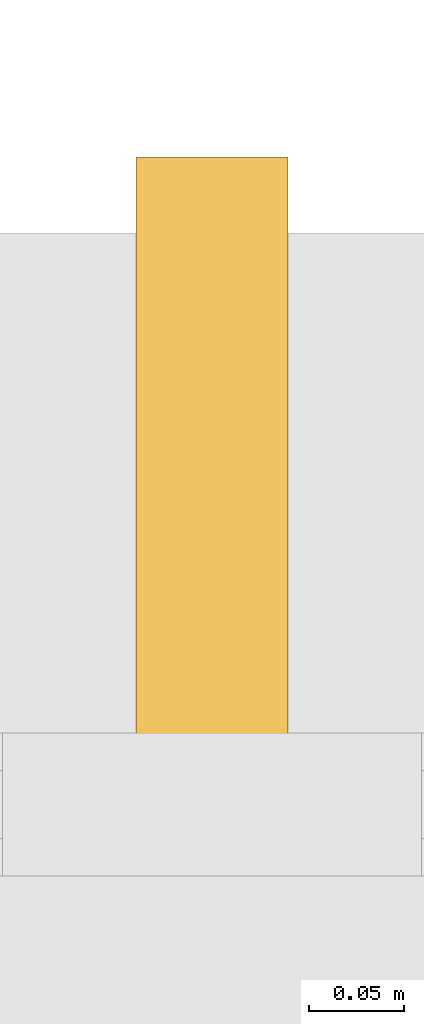
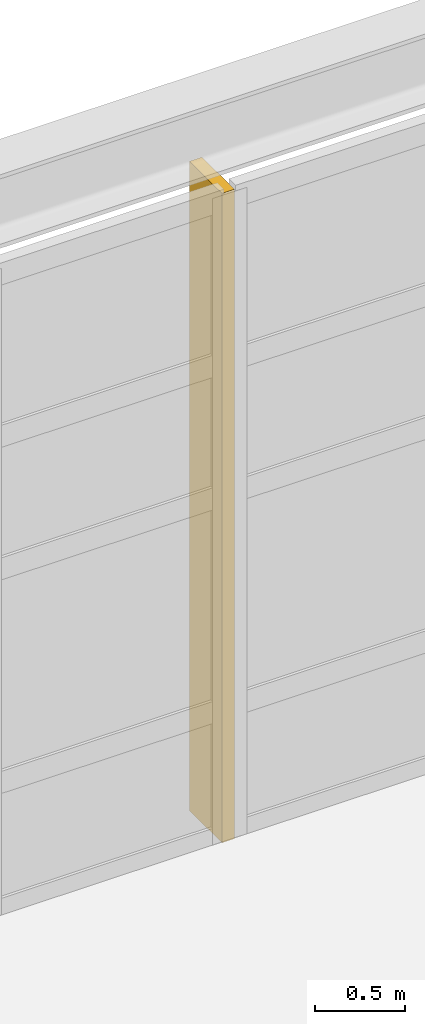
# One storey, part 144 of 145: 1 shading device.
"""IFC4 building model written with IfcOpenShell, lengths in metres."""

from ifc_helpers import new_model, si_unit, direction, frame, origin, origin_2d, place, context, subcontext, project, spatial, rectangle, extrude, material, type_object, element, save


model = new_model("IFC4")

# Units and contexts
model_context = context("Model", 3, precision=1e-05, world=origin(), true_north=direction((0.0, 1.0)))
body_context = subcontext(model_context, "Body", "Model", "MODEL_VIEW")
ifc_project = project(units=[si_unit("LENGTHUNIT", "METRE"), si_unit("AREAUNIT", "SQUARE_METRE"), si_unit("VOLUMEUNIT", "CUBIC_METRE"), si_unit("PLANEANGLEUNIT", "RADIAN"), si_unit("MASSUNIT", "GRAM", prefix="KILO"), si_unit("THERMODYNAMICTEMPERATUREUNIT", "KELVIN"), si_unit("POWERUNIT", "WATT")], contexts=[model_context])

# Site, building, storey
site_placement = place(None, origin())
site = spatial("IfcSite", under=ifc_project, at=site_placement, CompositionType="ELEMENT")
building_placement = place(site_placement, origin())
building = spatial("IfcBuilding", under=site, at=building_placement, Name="Korenveer Ferry Terminal", CompositionType="ELEMENT")
storey_placement = place(building_placement, origin())
storey = spatial("IfcBuildingStorey", under=building, at=storey_placement, Name="L00", CompositionType="ELEMENT", Elevation=0.0)

# Shading device
ifc_material = material(Name="Anodised bronze aluminium solar fin", Category="aluminium")
shading_device_type = type_object("IfcShadingDeviceType", Name="ENV-SHD-FIN", PredefinedType="JALOUSIE", material=ifc_material)
shading_device_placement = place(storey_placement, frame((129.486083984375, 116.159912109375, -0.02001953125), z_axis=(0.0, 0.0, 1.0), x_axis=(0.0, 1.0, 0.0)))
element("IfcShadingDevice", 1, at=shading_device_placement, inside=storey, type_object=shading_device_type, Name="Gothic solar fin 7", PredefinedType="JALOUSIE", context=body_context, shape_type="SweptSolid", body=[
    extrude(rectangle(XDim=0.360107421875, YDim=0.080078125, at=origin_2d()), origin(), (0.0, 0.0, 1.0), 4.409912109375),
])

save(model, "model.ifc")
